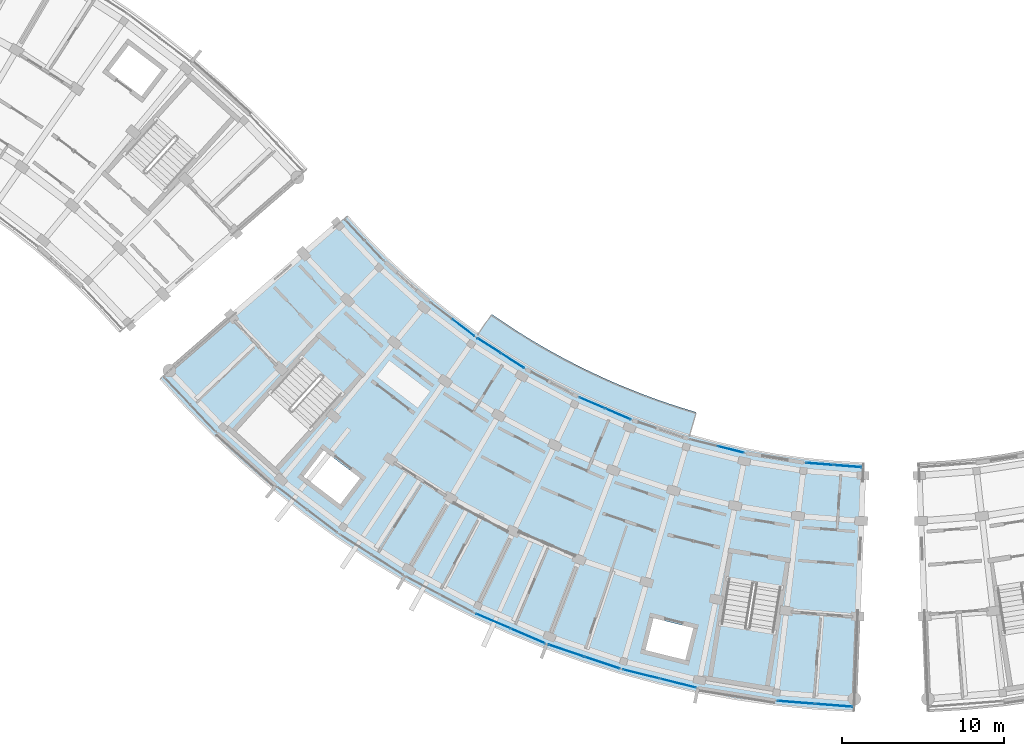
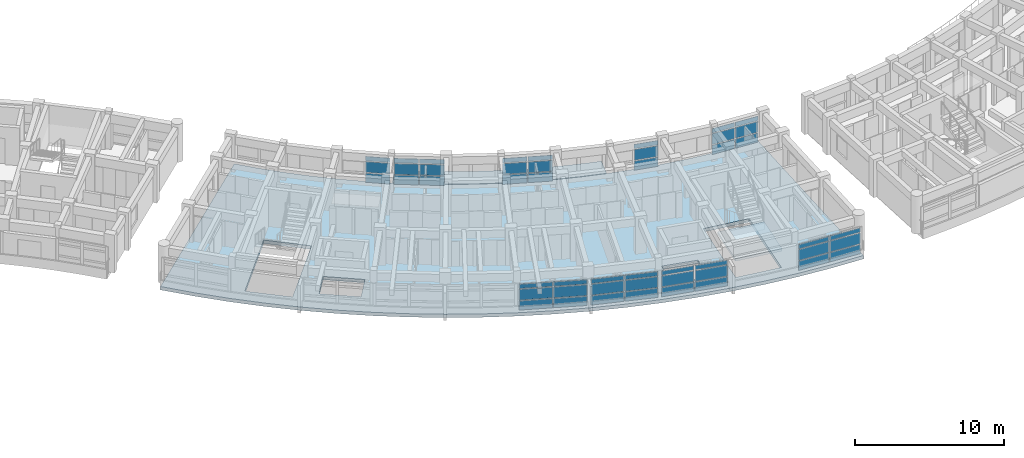
# One storey, part 23 of 56: 48 plates, 3 slabs, 10 elements without a shape of their own.
"""IFC4 building model written with IfcOpenShell, lengths in metres."""

from ifc_helpers import new_model, si_unit, direction, frame, origin, origin_2d, place, context, subcontext, project, spatial, polyline, rectangle, outline, extrude, material, layer, layer_set, type_object, element, aggregate, save


model = new_model("IFC4")

# Units and contexts
model_context = context("Model", 3, precision=1e-05, world=origin(), true_north=direction((0.0, 1.0)))
body_context = subcontext(model_context, "Body", "Model", "MODEL_VIEW")
ifc_project = project(units=[si_unit("LENGTHUNIT", "METRE"), si_unit("AREAUNIT", "SQUARE_METRE"), si_unit("VOLUMEUNIT", "CUBIC_METRE"), si_unit("PLANEANGLEUNIT", "RADIAN"), si_unit("MASSUNIT", "GRAM", prefix="KILO")], contexts=[model_context])

# Site, building, storey
site_placement = place(None, origin())
site = spatial("IfcSite", under=ifc_project, at=site_placement, CompositionType="ELEMENT")
building_placement = place(site_placement, origin())
building = spatial("IfcBuilding", under=site, at=building_placement, Name="Zimvara Arc Housing Community", CompositionType="ELEMENT")
storey_placement = place(building_placement, frame((0.0, 0.0, 17.39990234375)))
storey = spatial("IfcBuildingStorey", under=building, at=storey_placement, Name="L05", CompositionType="ELEMENT", Elevation=17.39990234375)

# Curtain wall, plates
ifc_material_1 = material(Name="Anodised Aluminium AW-6063", Category="aluminium")
curtain_wall_type_1 = type_object("IfcCurtainWallType", Name="CW-SYS-04", PredefinedType="USERDEFINED", material=ifc_material_1)
curtain_wall_1_placement = place(storey_placement, origin())
curtain_wall_1 = element("IfcCurtainWall", 1, at=curtain_wall_1_placement, inside=storey, type_object=curtain_wall_type_1, Name="cw:blkC:L05:in:b3", ObjectType="CURTAIN WALL", PredefinedType="USERDEFINED")
ifc_material_2 = material(Name="Pale-Gold Anodised Aluminium Spandrel Panel", Category="aluminium")
ifc_layer_1 = layer(ifc_material_2, 0.035888671875)
ifc_layer_set_1 = layer_set([ifc_layer_1], Name="Pale-Gold Anodised Aluminium Spandrel Panel")
plate_type_1 = type_object("IfcPlateType", Name="CWP-GLD-36", PredefinedType="CURTAIN_PANEL", material=ifc_layer_set_1)
plate_1_placement = place(storey_placement, frame((101.21875, 72.775634765625, 0.065185546875), z_axis=(0.0, 0.0, 1.0), x_axis=(0.842264751752, -0.539064085203, 0.0)))
plate_1 = element("IfcPlate", 2, at=plate_1_placement, type_object=plate_type_1, Name="CW04 panel 1.1", PredefinedType="CURTAIN_PANEL", context=body_context, shape_type="SweptSolid", body=[
    extrude(rectangle(XDim=1.664306640625, YDim=0.035888671875, at=origin_2d()), origin(), (0.0, 0.0, 1.0), 0.75244140625),
])
plate_2_placement = place(storey_placement, frame((101.21875, 72.775634765625, 0.8828125), z_axis=(0.0, 0.0, 1.0), x_axis=(0.842264751752, -0.539064085203, 0.0)))
plate_2 = element("IfcPlate", 3, at=plate_2_placement, type_object=plate_type_1, Name="CW04 panel 1.2", PredefinedType="CURTAIN_PANEL", context=body_context, shape_type="SweptSolid", body=[
    extrude(rectangle(XDim=1.664306640625, YDim=0.035888671875, at=origin_2d()), origin(), (0.0, 0.0, 1.0), 0.885009765625),
])
plate_3_placement = place(storey_placement, frame((101.21875, 72.775634765625, 1.83251953125), z_axis=(0.0, 0.0, 1.0), x_axis=(0.842264751752, -0.539064085203, 0.0)))
plate_3 = element("IfcPlate", 4, at=plate_3_placement, type_object=plate_type_1, Name="CW04 panel 1.3", PredefinedType="CURTAIN_PANEL", context=body_context, shape_type="SweptSolid", body=[
    extrude(rectangle(XDim=1.664306640625, YDim=0.035888671875, at=origin_2d()), origin(), (0.0, 0.0, 1.0), 0.3525390625),
])
plate_4_placement = place(storey_placement, frame((102.67529296875, 71.843505859375, 0.065185546875), z_axis=(0.0, 0.0, 1.0), x_axis=(0.842264751752, -0.539064085203, 0.0)))
plate_4 = element("IfcPlate", 5, at=plate_4_placement, type_object=plate_type_1, Name="CW04 panel 2.1", PredefinedType="CURTAIN_PANEL", context=body_context, shape_type="SweptSolid", body=[
    extrude(rectangle(XDim=1.664306640625, YDim=0.035888671875, at=origin_2d()), origin(), (0.0, 0.0, 1.0), 0.75244140625),
])
plate_5_placement = place(storey_placement, frame((102.67529296875, 71.843505859375, 0.8828125), z_axis=(0.0, 0.0, 1.0), x_axis=(0.842264751752, -0.539064085203, 0.0)))
plate_5 = element("IfcPlate", 6, at=plate_5_placement, type_object=plate_type_1, Name="CW04 panel 2.2", PredefinedType="CURTAIN_PANEL", context=body_context, shape_type="SweptSolid", body=[
    extrude(rectangle(XDim=1.664306640625, YDim=0.035888671875, at=origin_2d()), origin(), (0.0, 0.0, 1.0), 0.885009765625),
])
plate_6_placement = place(storey_placement, frame((102.67529296875, 71.843505859375, 1.83251953125), z_axis=(0.0, 0.0, 1.0), x_axis=(0.842264751752, -0.539064085203, 0.0)))
plate_6 = element("IfcPlate", 7, at=plate_6_placement, type_object=plate_type_1, Name="CW04 panel 2.3", PredefinedType="CURTAIN_PANEL", context=body_context, shape_type="SweptSolid", body=[
    extrude(rectangle(XDim=1.664306640625, YDim=0.035888671875, at=origin_2d()), origin(), (0.0, 0.0, 1.0), 0.3525390625),
])
aggregate(curtain_wall_1, [plate_1, plate_2, plate_3, plate_4, plate_5, plate_6])

ifc_material_3 = material(Name="Anodised Aluminium AW-6063", Category="aluminium")
curtain_wall_type_2 = type_object("IfcCurtainWallType", Name="CW-SYS-08", PredefinedType="USERDEFINED", material=ifc_material_3)
curtain_wall_2_placement = place(storey_placement, origin())
curtain_wall_2 = element("IfcCurtainWall", 8, at=curtain_wall_2_placement, inside=storey, type_object=curtain_wall_type_2, Name="cw:blkC:L05:out:b6", ObjectType="CURTAIN WALL", PredefinedType="USERDEFINED")
plate_7_placement = place(storey_placement, frame((105.970458984375, 53.993408203125, 0.065185546875), z_axis=(0.0, 0.0, 1.0), x_axis=(0.947879647164, -0.318628583921, 0.0)))
plate_7 = element("IfcPlate", 9, at=plate_7_placement, type_object=plate_type_1, Name="CW08 panel 1.1", PredefinedType="CURTAIN_PANEL", context=body_context, shape_type="SweptSolid", body=[
    extrude(rectangle(XDim=2.266845703125, YDim=0.035888671875, at=origin_2d()), origin(), (0.0, 0.0, 1.0), 0.75244140625),
])
plate_8_placement = place(storey_placement, frame((105.970458984375, 53.993408203125, 0.8828125), z_axis=(0.0, 0.0, 1.0), x_axis=(0.947879647164, -0.318628583921, 0.0)))
plate_8 = element("IfcPlate", 10, at=plate_8_placement, type_object=plate_type_1, Name="CW08 panel 1.2", PredefinedType="CURTAIN_PANEL", context=body_context, shape_type="SweptSolid", body=[
    extrude(rectangle(XDim=2.266845703125, YDim=0.035888671875, at=origin_2d()), origin(), (0.0, 0.0, 1.0), 0.885009765625),
])
plate_9_placement = place(storey_placement, frame((105.970458984375, 53.993408203125, 1.83251953125), z_axis=(0.0, 0.0, 1.0), x_axis=(0.947879647164, -0.318628583921, 0.0)))
plate_9 = element("IfcPlate", 11, at=plate_9_placement, type_object=plate_type_1, Name="CW08 panel 1.3", PredefinedType="CURTAIN_PANEL", context=body_context, shape_type="SweptSolid", body=[
    extrude(rectangle(XDim=2.266845703125, YDim=0.035888671875, at=origin_2d()), origin(), (0.0, 0.0, 1.0), 0.3525390625),
])
plate_10_placement = place(storey_placement, frame((108.180908203125, 53.250244140625, 0.065185546875), z_axis=(0.0, 0.0, 1.0), x_axis=(0.947879647164, -0.318628583921, 0.0)))
plate_10 = element("IfcPlate", 12, at=plate_10_placement, type_object=plate_type_1, Name="CW08 panel 2.1", PredefinedType="CURTAIN_PANEL", context=body_context, shape_type="SweptSolid", body=[
    extrude(rectangle(XDim=2.266845703125, YDim=0.035888671875, at=origin_2d()), origin(), (0.0, 0.0, 1.0), 0.75244140625),
])
plate_11_placement = place(storey_placement, frame((108.180908203125, 53.250244140625, 0.8828125), z_axis=(0.0, 0.0, 1.0), x_axis=(0.947879647164, -0.318628583921, 0.0)))
plate_11 = element("IfcPlate", 13, at=plate_11_placement, type_object=plate_type_1, Name="CW08 panel 2.2", PredefinedType="CURTAIN_PANEL", context=body_context, shape_type="SweptSolid", body=[
    extrude(rectangle(XDim=2.266845703125, YDim=0.035888671875, at=origin_2d()), origin(), (0.0, 0.0, 1.0), 0.885009765625),
])
plate_12_placement = place(storey_placement, frame((108.180908203125, 53.250244140625, 1.83251953125), z_axis=(0.0, 0.0, 1.0), x_axis=(0.947879647164, -0.318628583921, 0.0)))
plate_12 = element("IfcPlate", 14, at=plate_12_placement, type_object=plate_type_1, Name="CW08 panel 2.3", PredefinedType="CURTAIN_PANEL", context=body_context, shape_type="SweptSolid", body=[
    extrude(rectangle(XDim=2.266845703125, YDim=0.035888671875, at=origin_2d()), origin(), (0.0, 0.0, 1.0), 0.3525390625),
])
aggregate(curtain_wall_2, [plate_7, plate_8, plate_9, plate_10, plate_11, plate_12])

curtain_wall_3_placement = place(storey_placement, origin())
curtain_wall_3 = element("IfcCurtainWall", 15, at=curtain_wall_3_placement, inside=storey, type_object=curtain_wall_type_1, Name="cw:blkC:L05:in:b9", ObjectType="CURTAIN WALL", PredefinedType="USERDEFINED")
plate_13_placement = place(storey_placement, frame((121.589111328125, 65.485595703125, 0.065185546875), z_axis=(0.0, 0.0, 1.0), x_axis=(0.996862343506, -0.079154709897, 0.0)))
plate_13 = element("IfcPlate", 16, at=plate_13_placement, type_object=plate_type_1, Name="CW04 panel 1.1", PredefinedType="CURTAIN_PANEL", context=body_context, shape_type="SweptSolid", body=[
    extrude(rectangle(XDim=1.664306640625, YDim=0.035888671875, at=origin_2d()), origin(), (0.0, 0.0, 1.0), 0.75244140625),
])
plate_14_placement = place(storey_placement, frame((121.589111328125, 65.485595703125, 0.8828125), z_axis=(0.0, 0.0, 1.0), x_axis=(0.996862343506, -0.079154709897, 0.0)))
plate_14 = element("IfcPlate", 17, at=plate_14_placement, type_object=plate_type_1, Name="CW04 panel 1.2", PredefinedType="CURTAIN_PANEL", context=body_context, shape_type="SweptSolid", body=[
    extrude(rectangle(XDim=1.664306640625, YDim=0.035888671875, at=origin_2d()), origin(), (0.0, 0.0, 1.0), 0.885009765625),
])
plate_15_placement = place(storey_placement, frame((121.589111328125, 65.485595703125, 1.83251953125), z_axis=(0.0, 0.0, 1.0), x_axis=(0.996862343506, -0.079154709897, 0.0)))
plate_15 = element("IfcPlate", 18, at=plate_15_placement, type_object=plate_type_1, Name="CW04 panel 1.3", PredefinedType="CURTAIN_PANEL", context=body_context, shape_type="SweptSolid", body=[
    extrude(rectangle(XDim=1.664306640625, YDim=0.035888671875, at=origin_2d()), origin(), (0.0, 0.0, 1.0), 0.3525390625),
])
plate_16_placement = place(storey_placement, frame((123.31298828125, 65.3486328125, 0.065185546875), z_axis=(0.0, 0.0, 1.0), x_axis=(0.996862343506, -0.079154709897, 0.0)))
plate_16 = element("IfcPlate", 19, at=plate_16_placement, type_object=plate_type_1, Name="CW04 panel 2.1", PredefinedType="CURTAIN_PANEL", context=body_context, shape_type="SweptSolid", body=[
    extrude(rectangle(XDim=1.664306640625, YDim=0.035888671875, at=origin_2d()), origin(), (0.0, 0.0, 1.0), 0.75244140625),
])
plate_17_placement = place(storey_placement, frame((123.31298828125, 65.3486328125, 0.8828125), z_axis=(0.0, 0.0, 1.0), x_axis=(0.996862343506, -0.079154709897, 0.0)))
plate_17 = element("IfcPlate", 20, at=plate_17_placement, type_object=plate_type_1, Name="CW04 panel 2.2", PredefinedType="CURTAIN_PANEL", context=body_context, shape_type="SweptSolid", body=[
    extrude(rectangle(XDim=1.664306640625, YDim=0.035888671875, at=origin_2d()), origin(), (0.0, 0.0, 1.0), 0.885009765625),
])
plate_18_placement = place(storey_placement, frame((123.31298828125, 65.3486328125, 1.83251953125), z_axis=(0.0, 0.0, 1.0), x_axis=(0.996862343506, -0.079154709897, 0.0)))
plate_18 = element("IfcPlate", 21, at=plate_18_placement, type_object=plate_type_1, Name="CW04 panel 2.3", PredefinedType="CURTAIN_PANEL", context=body_context, shape_type="SweptSolid", body=[
    extrude(rectangle(XDim=1.664306640625, YDim=0.035888671875, at=origin_2d()), origin(), (0.0, 0.0, 1.0), 0.3525390625),
])
aggregate(curtain_wall_3, [plate_13, plate_14, plate_15, plate_16, plate_17, plate_18])

ifc_material_4 = material(Name="Anodised Aluminium AW-6063", Category="aluminium")
curtain_wall_type_3 = type_object("IfcCurtainWallType", Name="CW-SYS-01", PredefinedType="USERDEFINED", material=ifc_material_4)
curtain_wall_4_placement = place(storey_placement, origin())
curtain_wall_4 = element("IfcCurtainWall", 22, at=curtain_wall_4_placement, inside=storey, type_object=curtain_wall_type_3, Name="cw:blkC:L05:out:b7", ObjectType="CURTAIN WALL", PredefinedType="USERDEFINED")
ifc_material_5 = material(Name="Solar Control Low-E Double Glazing", Category="glass")
ifc_layer_2 = layer(ifc_material_5, 0.02392578125)
ifc_layer_set_2 = layer_set([ifc_layer_2], Name="Solar Control Low-E Double Glazing")
plate_type_2 = type_object("IfcPlateType", Name="CWP-GLZ-24", PredefinedType="CURTAIN_PANEL", material=ifc_layer_set_2)
plate_19_placement = place(storey_placement, frame((110.59521484375, 52.547119140625, 0.065185546875), z_axis=(0.0, 0.0, 1.0), x_axis=(0.970716068627, -0.240229711131, 0.0)))
plate_19 = element("IfcPlate", 23, at=plate_19_placement, type_object=plate_type_2, Name="CW01 panel 1.1", PredefinedType="CURTAIN_PANEL", context=body_context, shape_type="SweptSolid", body=[
    extrude(rectangle(XDim=2.266845703125, YDim=0.02392578125, at=origin_2d()), origin(), (0.0, 0.0, 1.0), 0.75244140625),
])
plate_20_placement = place(storey_placement, frame((110.59521484375, 52.547119140625, 0.8828125), z_axis=(0.0, 0.0, 1.0), x_axis=(0.970716068627, -0.240229711131, 0.0)))
plate_20 = element("IfcPlate", 24, at=plate_20_placement, type_object=plate_type_2, Name="CW01 panel 1.2", PredefinedType="CURTAIN_PANEL", context=body_context, shape_type="SweptSolid", body=[
    extrude(rectangle(XDim=2.266845703125, YDim=0.02392578125, at=origin_2d()), origin(), (0.0, 0.0, 1.0), 0.885009765625),
])
plate_21_placement = place(storey_placement, frame((110.59521484375, 52.547119140625, 1.83251953125), z_axis=(0.0, 0.0, 1.0), x_axis=(0.970716068627, -0.240229711131, 0.0)))
plate_21 = element("IfcPlate", 25, at=plate_21_placement, type_object=plate_type_2, Name="CW01 panel 1.3", PredefinedType="CURTAIN_PANEL", context=body_context, shape_type="SweptSolid", body=[
    extrude(rectangle(XDim=2.266845703125, YDim=0.02392578125, at=origin_2d()), origin(), (0.0, 0.0, 1.0), 0.3525390625),
])
plate_22_placement = place(storey_placement, frame((112.85888671875, 51.98681640625, 0.065185546875), z_axis=(0.0, 0.0, 1.0), x_axis=(0.970716068627, -0.240229711131, 0.0)))
plate_22 = element("IfcPlate", 26, at=plate_22_placement, type_object=plate_type_2, Name="CW01 panel 2.1", PredefinedType="CURTAIN_PANEL", context=body_context, shape_type="SweptSolid", body=[
    extrude(rectangle(XDim=2.266845703125, YDim=0.02392578125, at=origin_2d()), origin(), (0.0, 0.0, 1.0), 0.75244140625),
])
plate_23_placement = place(storey_placement, frame((112.85888671875, 51.98681640625, 0.8828125), z_axis=(0.0, 0.0, 1.0), x_axis=(0.970716068627, -0.240229711131, 0.0)))
plate_23 = element("IfcPlate", 27, at=plate_23_placement, type_object=plate_type_2, Name="CW01 panel 2.2", PredefinedType="CURTAIN_PANEL", context=body_context, shape_type="SweptSolid", body=[
    extrude(rectangle(XDim=2.266845703125, YDim=0.02392578125, at=origin_2d()), origin(), (0.0, 0.0, 1.0), 0.885009765625),
])
plate_24_placement = place(storey_placement, frame((112.85888671875, 51.98681640625, 1.83251953125), z_axis=(0.0, 0.0, 1.0), x_axis=(0.970716068627, -0.240229711131, 0.0)))
plate_24 = element("IfcPlate", 28, at=plate_24_placement, type_object=plate_type_2, Name="CW01 panel 2.3", PredefinedType="CURTAIN_PANEL", context=body_context, shape_type="SweptSolid", body=[
    extrude(rectangle(XDim=2.266845703125, YDim=0.02392578125, at=origin_2d()), origin(), (0.0, 0.0, 1.0), 0.3525390625),
])
aggregate(curtain_wall_4, [plate_19, plate_20, plate_21, plate_22, plate_23, plate_24])

ifc_material_6 = material(Name="Anodised Aluminium AW-6063", Category="aluminium")
curtain_wall_type_4 = type_object("IfcCurtainWallType", Name="CW-SYS-02", PredefinedType="USERDEFINED", material=ifc_material_6)
curtain_wall_5_placement = place(storey_placement, origin())
curtain_wall_5 = element("IfcCurtainWall", 29, at=curtain_wall_5_placement, inside=storey, type_object=curtain_wall_type_4, Name="cw:blkC:L05:in:b2", ObjectType="CURTAIN WALL", PredefinedType="USERDEFINED")
ifc_material_7 = material(Name="Solar Control Low-E Double Glazing", Category="glass")
ifc_layer_3 = layer(ifc_material_7, 0.028076171875)
ifc_layer_set_3 = layer_set([ifc_layer_3], Name="Solar Control Low-E Double Glazing")
plate_type_3 = type_object("IfcPlateType", Name="CWP-GLZ-28", PredefinedType="CURTAIN_PANEL", material=ifc_layer_set_3)
plate_25_placement = place(storey_placement, frame((99.651123046875, 73.87158203125, 0.065185546875), z_axis=(0.0, 0.0, 1.0), x_axis=(0.795473543119, -0.605988318533, 0.0)))
plate_25 = element("IfcPlate", 30, at=plate_25_placement, type_object=plate_type_3, Name="CW02 panel 2.1", PredefinedType="CURTAIN_PANEL", context=body_context, shape_type="SweptSolid", body=[
    extrude(rectangle(XDim=1.664306640625, YDim=0.028076171875, at=origin_2d()), origin(), (0.0, 0.0, 1.0), 0.75244140625),
])
plate_26_placement = place(storey_placement, frame((99.651123046875, 73.87158203125, 0.8828125), z_axis=(0.0, 0.0, 1.0), x_axis=(0.795473543119, -0.605988318533, 0.0)))
plate_26 = element("IfcPlate", 31, at=plate_26_placement, type_object=plate_type_3, Name="CW02 panel 2.2", PredefinedType="CURTAIN_PANEL", context=body_context, shape_type="SweptSolid", body=[
    extrude(rectangle(XDim=1.664306640625, YDim=0.028076171875, at=origin_2d()), origin(), (0.0, 0.0, 1.0), 0.885009765625),
])
plate_27_placement = place(storey_placement, frame((99.651123046875, 73.87158203125, 1.83251953125), z_axis=(0.0, 0.0, 1.0), x_axis=(0.795473543119, -0.605988318533, 0.0)))
plate_27 = element("IfcPlate", 32, at=plate_27_placement, type_object=plate_type_3, Name="CW02 panel 2.3", PredefinedType="CURTAIN_PANEL", context=body_context, shape_type="SweptSolid", body=[
    extrude(rectangle(XDim=1.664306640625, YDim=0.028076171875, at=origin_2d()), origin(), (0.0, 0.0, 1.0), 0.3525390625),
])
aggregate(curtain_wall_5, [plate_25, plate_26, plate_27])

ifc_material_8 = material(Name="Anodised Aluminium AW-6063", Category="aluminium")
curtain_wall_type_5 = type_object("IfcCurtainWallType", Name="CW-SYS-06", PredefinedType="USERDEFINED", material=ifc_material_8)
curtain_wall_6_placement = place(storey_placement, origin())
curtain_wall_6 = element("IfcCurtainWall", 33, at=curtain_wall_6_placement, inside=storey, type_object=curtain_wall_type_5, Name="cw:blkC:L05:out:b5", ObjectType="CURTAIN WALL", PredefinedType="USERDEFINED")
plate_28_placement = place(storey_placement, frame((101.47900390625, 55.812255859375, 0.065185546875), z_axis=(0.0, 0.0, 1.0), x_axis=(0.918722299363, -0.394904211998, 0.0)))
plate_28 = element("IfcPlate", 34, at=plate_28_placement, type_object=plate_type_3, Name="CW06 panel 1.1", PredefinedType="CURTAIN_PANEL", context=body_context, shape_type="SweptSolid", body=[
    extrude(rectangle(XDim=2.266845703125, YDim=0.028076171875, at=origin_2d()), origin(), (0.0, 0.0, 1.0), 0.75244140625),
])
plate_29_placement = place(storey_placement, frame((101.47900390625, 55.812255859375, 0.8828125), z_axis=(0.0, 0.0, 1.0), x_axis=(0.918722299363, -0.394904211998, 0.0)))
plate_29 = element("IfcPlate", 35, at=plate_29_placement, type_object=plate_type_3, Name="CW06 panel 1.2", PredefinedType="CURTAIN_PANEL", context=body_context, shape_type="SweptSolid", body=[
    extrude(rectangle(XDim=2.266845703125, YDim=0.028076171875, at=origin_2d()), origin(), (0.0, 0.0, 1.0), 0.885009765625),
])
plate_30_placement = place(storey_placement, frame((101.47900390625, 55.812255859375, 1.83251953125), z_axis=(0.0, 0.0, 1.0), x_axis=(0.918722299363, -0.394904211998, 0.0)))
plate_30 = element("IfcPlate", 36, at=plate_30_placement, type_object=plate_type_3, Name="CW06 panel 1.3", PredefinedType="CURTAIN_PANEL", context=body_context, shape_type="SweptSolid", body=[
    extrude(rectangle(XDim=2.266845703125, YDim=0.028076171875, at=origin_2d()), origin(), (0.0, 0.0, 1.0), 0.3525390625),
])
plate_31_placement = place(storey_placement, frame((103.621337890625, 54.891357421875, 0.065185546875), z_axis=(0.0, 0.0, 1.0), x_axis=(0.918722299363, -0.394904211998, 0.0)))
plate_31 = element("IfcPlate", 37, at=plate_31_placement, type_object=plate_type_3, Name="CW06 panel 2.1", PredefinedType="CURTAIN_PANEL", context=body_context, shape_type="SweptSolid", body=[
    extrude(rectangle(XDim=2.266845703125, YDim=0.028076171875, at=origin_2d()), origin(), (0.0, 0.0, 1.0), 0.75244140625),
])
plate_32_placement = place(storey_placement, frame((103.621337890625, 54.891357421875, 0.8828125), z_axis=(0.0, 0.0, 1.0), x_axis=(0.918722299363, -0.394904211998, 0.0)))
plate_32 = element("IfcPlate", 38, at=plate_32_placement, type_object=plate_type_3, Name="CW06 panel 2.2", PredefinedType="CURTAIN_PANEL", context=body_context, shape_type="SweptSolid", body=[
    extrude(rectangle(XDim=2.266845703125, YDim=0.028076171875, at=origin_2d()), origin(), (0.0, 0.0, 1.0), 0.885009765625),
])
plate_33_placement = place(storey_placement, frame((103.621337890625, 54.891357421875, 1.83251953125), z_axis=(0.0, 0.0, 1.0), x_axis=(0.918722299363, -0.394904211998, 0.0)))
plate_33 = element("IfcPlate", 39, at=plate_33_placement, type_object=plate_type_3, Name="CW06 panel 2.3", PredefinedType="CURTAIN_PANEL", context=body_context, shape_type="SweptSolid", body=[
    extrude(rectangle(XDim=2.266845703125, YDim=0.028076171875, at=origin_2d()), origin(), (0.0, 0.0, 1.0), 0.3525390625),
])
aggregate(curtain_wall_6, [plate_28, plate_29, plate_30, plate_31, plate_32, plate_33])

curtain_wall_7_placement = place(storey_placement, origin())
curtain_wall_7 = element("IfcCurtainWall", 40, at=curtain_wall_7_placement, inside=storey, type_object=curtain_wall_type_4, Name="cw:blkC:L05:in:b7", ObjectType="CURTAIN WALL", PredefinedType="USERDEFINED")
plate_34_placement = place(storey_placement, frame((116.109375, 66.375, 0.065185546875), z_axis=(0.0, 0.0, 1.0), x_axis=(0.970716537698, -0.240227815706, 0.0)))
plate_34 = element("IfcPlate", 41, at=plate_34_placement, type_object=plate_type_3, Name="CW02 panel 2.1", PredefinedType="CURTAIN_PANEL", context=body_context, shape_type="SweptSolid", body=[
    extrude(rectangle(XDim=1.664306640625, YDim=0.028076171875, at=origin_2d()), origin(), (0.0, 0.0, 1.0), 0.75244140625),
])
plate_35_placement = place(storey_placement, frame((116.109375, 66.375, 0.8828125), z_axis=(0.0, 0.0, 1.0), x_axis=(0.970716537698, -0.240227815706, 0.0)))
plate_35 = element("IfcPlate", 42, at=plate_35_placement, type_object=plate_type_3, Name="CW02 panel 2.2", PredefinedType="CURTAIN_PANEL", context=body_context, shape_type="SweptSolid", body=[
    extrude(rectangle(XDim=1.664306640625, YDim=0.028076171875, at=origin_2d()), origin(), (0.0, 0.0, 1.0), 0.885009765625),
])
plate_36_placement = place(storey_placement, frame((116.109375, 66.375, 1.83251953125), z_axis=(0.0, 0.0, 1.0), x_axis=(0.970716537698, -0.240227815706, 0.0)))
plate_36 = element("IfcPlate", 43, at=plate_36_placement, type_object=plate_type_3, Name="CW02 panel 2.3", PredefinedType="CURTAIN_PANEL", context=body_context, shape_type="SweptSolid", body=[
    extrude(rectangle(XDim=1.664306640625, YDim=0.028076171875, at=origin_2d()), origin(), (0.0, 0.0, 1.0), 0.3525390625),
])
aggregate(curtain_wall_7, [plate_34, plate_35, plate_36])

ifc_material_9 = material(Name="Anodised Aluminium AW-6063", Category="aluminium")
curtain_wall_type_6 = type_object("IfcCurtainWallType", Name="CW-SYS-07", PredefinedType="USERDEFINED", material=ifc_material_9)
curtain_wall_8_placement = place(storey_placement, origin())
curtain_wall_8 = element("IfcCurtainWall", 44, at=curtain_wall_8_placement, inside=storey, type_object=curtain_wall_type_6, Name="cw:blkC:L05:in:b5", ObjectType="CURTAIN WALL", PredefinedType="USERDEFINED")
ifc_material_10 = material(Name="Acoustic Laminated Solar Glazing", Category="glass")
ifc_layer_4 = layer(ifc_material_10, 0.031982421875)
ifc_layer_set_4 = layer_set([ifc_layer_4], Name="Acoustic Laminated Solar Glazing")
plate_type_4 = type_object("IfcPlateType", Name="CWP-GLZ-32", PredefinedType="CURTAIN_PANEL", material=ifc_layer_set_4)
plate_37_placement = place(storey_placement, frame((107.57958984375, 69.2421875, 0.065185546875), z_axis=(0.0, 0.0, 1.0), x_axis=(0.918722178415, -0.394904493375, 0.0)))
plate_37 = element("IfcPlate", 45, at=plate_37_placement, type_object=plate_type_4, Name="CW07 panel 1.1", PredefinedType="CURTAIN_PANEL", context=body_context, shape_type="SweptSolid", body=[
    extrude(rectangle(XDim=1.664306640625, YDim=0.031982421875, at=origin_2d()), origin(), (0.0, 0.0, 1.0), 0.75244140625),
])
plate_38_placement = place(storey_placement, frame((107.57958984375, 69.2421875, 0.8828125), z_axis=(0.0, 0.0, 1.0), x_axis=(0.918722178415, -0.394904493375, 0.0)))
plate_38 = element("IfcPlate", 46, at=plate_38_placement, type_object=plate_type_4, Name="CW07 panel 1.2", PredefinedType="CURTAIN_PANEL", context=body_context, shape_type="SweptSolid", body=[
    extrude(rectangle(XDim=1.664306640625, YDim=0.031982421875, at=origin_2d()), origin(), (0.0, 0.0, 1.0), 0.885009765625),
])
plate_39_placement = place(storey_placement, frame((107.57958984375, 69.2421875, 1.83251953125), z_axis=(0.0, 0.0, 1.0), x_axis=(0.918722178415, -0.394904493375, 0.0)))
plate_39 = element("IfcPlate", 47, at=plate_39_placement, type_object=plate_type_4, Name="CW07 panel 1.3", PredefinedType="CURTAIN_PANEL", context=body_context, shape_type="SweptSolid", body=[
    extrude(rectangle(XDim=1.664306640625, YDim=0.031982421875, at=origin_2d()), origin(), (0.0, 0.0, 1.0), 0.3525390625),
])
plate_40_placement = place(storey_placement, frame((109.16845703125, 68.559326171875, 0.065185546875), z_axis=(0.0, 0.0, 1.0), x_axis=(0.918722178415, -0.394904493375, 0.0)))
plate_40 = element("IfcPlate", 48, at=plate_40_placement, type_object=plate_type_4, Name="CW07 panel 2.1", PredefinedType="CURTAIN_PANEL", context=body_context, shape_type="SweptSolid", body=[
    extrude(rectangle(XDim=1.664306640625, YDim=0.031982421875, at=origin_2d()), origin(), (0.0, 0.0, 1.0), 0.75244140625),
])
plate_41_placement = place(storey_placement, frame((109.16845703125, 68.559326171875, 0.8828125), z_axis=(0.0, 0.0, 1.0), x_axis=(0.918722178415, -0.394904493375, 0.0)))
plate_41 = element("IfcPlate", 49, at=plate_41_placement, type_object=plate_type_4, Name="CW07 panel 2.2", PredefinedType="CURTAIN_PANEL", context=body_context, shape_type="SweptSolid", body=[
    extrude(rectangle(XDim=1.664306640625, YDim=0.031982421875, at=origin_2d()), origin(), (0.0, 0.0, 1.0), 0.885009765625),
])
plate_42_placement = place(storey_placement, frame((109.16845703125, 68.559326171875, 1.83251953125), z_axis=(0.0, 0.0, 1.0), x_axis=(0.918722178415, -0.394904493375, 0.0)))
plate_42 = element("IfcPlate", 50, at=plate_42_placement, type_object=plate_type_4, Name="CW07 panel 2.3", PredefinedType="CURTAIN_PANEL", context=body_context, shape_type="SweptSolid", body=[
    extrude(rectangle(XDim=1.664306640625, YDim=0.031982421875, at=origin_2d()), origin(), (0.0, 0.0, 1.0), 0.3525390625),
])
aggregate(curtain_wall_8, [plate_37, plate_38, plate_39, plate_40, plate_41, plate_42])

ifc_material_11 = material(Name="Anodised Aluminium AW-6063", Category="aluminium")
curtain_wall_type_7 = type_object("IfcCurtainWallType", Name="CW-SYS-03", PredefinedType="USERDEFINED", material=ifc_material_11)
curtain_wall_9_placement = place(storey_placement, origin())
curtain_wall_9 = element("IfcCurtainWall", 51, at=curtain_wall_9_placement, inside=storey, type_object=curtain_wall_type_7, Name="cw:blkC:L05:out:b9", ObjectType="CURTAIN WALL", PredefinedType="USERDEFINED")
plate_43_placement = place(storey_placement, frame((120.121337890625, 50.807861328125, 0.065185546875), z_axis=(0.0, 0.0, 1.0), x_axis=(0.996862418963, -0.079153759607, 0.0)))
plate_43 = element("IfcPlate", 52, at=plate_43_placement, type_object=plate_type_4, Name="CW03 panel 1.1", PredefinedType="CURTAIN_PANEL", context=body_context, shape_type="SweptSolid", body=[
    extrude(rectangle(XDim=2.266845703125, YDim=0.031982421875, at=origin_2d()), origin(), (0.0, 0.0, 1.0), 0.75244140625),
])
plate_44_placement = place(storey_placement, frame((120.121337890625, 50.807861328125, 0.8828125), z_axis=(0.0, 0.0, 1.0), x_axis=(0.996862418963, -0.079153759607, 0.0)))
plate_44 = element("IfcPlate", 53, at=plate_44_placement, type_object=plate_type_4, Name="CW03 panel 1.2", PredefinedType="CURTAIN_PANEL", context=body_context, shape_type="SweptSolid", body=[
    extrude(rectangle(XDim=2.266845703125, YDim=0.031982421875, at=origin_2d()), origin(), (0.0, 0.0, 1.0), 0.885009765625),
])
plate_45_placement = place(storey_placement, frame((120.121337890625, 50.807861328125, 1.83251953125), z_axis=(0.0, 0.0, 1.0), x_axis=(0.996862418963, -0.079153759607, 0.0)))
plate_45 = element("IfcPlate", 54, at=plate_45_placement, type_object=plate_type_4, Name="CW03 panel 1.3", PredefinedType="CURTAIN_PANEL", context=body_context, shape_type="SweptSolid", body=[
    extrude(rectangle(XDim=2.266845703125, YDim=0.031982421875, at=origin_2d()), origin(), (0.0, 0.0, 1.0), 0.3525390625),
])
plate_46_placement = place(storey_placement, frame((122.446044921875, 50.623291015625, 0.065185546875), z_axis=(0.0, 0.0, 1.0), x_axis=(0.996862418963, -0.079153759607, 0.0)))
plate_46 = element("IfcPlate", 55, at=plate_46_placement, type_object=plate_type_4, Name="CW03 panel 2.1", PredefinedType="CURTAIN_PANEL", context=body_context, shape_type="SweptSolid", body=[
    extrude(rectangle(XDim=2.266845703125, YDim=0.031982421875, at=origin_2d()), origin(), (0.0, 0.0, 1.0), 0.75244140625),
])
plate_47_placement = place(storey_placement, frame((122.446044921875, 50.623291015625, 0.8828125), z_axis=(0.0, 0.0, 1.0), x_axis=(0.996862418963, -0.079153759607, 0.0)))
plate_47 = element("IfcPlate", 56, at=plate_47_placement, type_object=plate_type_4, Name="CW03 panel 2.2", PredefinedType="CURTAIN_PANEL", context=body_context, shape_type="SweptSolid", body=[
    extrude(rectangle(XDim=2.266845703125, YDim=0.031982421875, at=origin_2d()), origin(), (0.0, 0.0, 1.0), 0.885009765625),
])
plate_48_placement = place(storey_placement, frame((122.446044921875, 50.623291015625, 1.83251953125), z_axis=(0.0, 0.0, 1.0), x_axis=(0.996862418963, -0.079153759607, 0.0)))
plate_48 = element("IfcPlate", 57, at=plate_48_placement, type_object=plate_type_4, Name="CW03 panel 2.3", PredefinedType="CURTAIN_PANEL", context=body_context, shape_type="SweptSolid", body=[
    extrude(rectangle(XDim=2.266845703125, YDim=0.031982421875, at=origin_2d()), origin(), (0.0, 0.0, 1.0), 0.3525390625),
])
aggregate(curtain_wall_9, [plate_43, plate_44, plate_45, plate_46, plate_47, plate_48])

# Stair, slab
ifc_material_12 = material(Name="Concrete C35/45", Category="concrete")
stair_type = type_object("IfcStairType", Name="STR-DL-310-310", PredefinedType="HALF_TURN_STAIR", material=ifc_material_12)
stair_placement = place(storey_placement, origin())
stair = element("IfcStair", 58, at=stair_placement, inside=storey, type_object=stair_type, Name="L05 Block C Exit Stair 2", PredefinedType="HALF_TURN_STAIR")
ifc_material_13 = material(Name="Concrete C35/45", Category="concrete")
ifc_layer_5 = layer(ifc_material_13, 0.199951171875)
ifc_layer_set_5 = layer_set([ifc_layer_5], Name="Concrete C35/45")
slab_type_1 = type_object("IfcSlabType", Name="SLB-STAIR-LND-200", PredefinedType="LANDING", material=ifc_layer_set_5)
slab_1_placement = place(storey_placement, frame((0.0, 0.0, 1.35009765625)))
slab_1 = element("IfcSlab", 59, at=slab_1_placement, type_object=slab_type_1, Name="ST-C2 landing 1", PredefinedType="LANDING", context=body_context, shape_type="SweptSolid", body=[
    extrude(outline(polyline([(115.4853515625, 55.691650390625), (114.942138671875, 52.345458984375), (118.2587890625, 51.80712890625), (118.8017578125, 55.1533203125), (115.4853515625, 55.691650390625)])), origin(), (0.0, 0.0, 1.0), 0.199951171875),
])
aggregate(stair, [slab_1])

# Slabs
ifc_material_14 = material(Name="Concrete C35/45", Category="concrete")
ifc_layer_6 = layer(ifc_material_14, 0.2099609375)
ifc_layer_set_6 = layer_set([ifc_layer_6], Name="Concrete C35/45")
slab_type_2 = type_object("IfcSlabType", Name="SLB-TER-210", PredefinedType="FLOOR", material=ifc_layer_set_6)
slab_2_placement = place(storey_placement, frame((0.0, 0.0, -0.2099609375)))
element("IfcSlab", 60, at=slab_2_placement, inside=storey, type_object=slab_type_2, Name="slab:blkC:L05:bal_in", PredefinedType="FLOOR", context=body_context, shape_type="SweptSolid", body=[
    extrude(outline(polyline([(100.555908203125, 73.49658203125), (102.061767578125, 72.48876953125), (103.607421875, 71.543212890625), (105.190673828125, 70.661865234375), (106.808349609375, 69.845703125), (108.4580078125, 69.09619140625), (110.136962890625, 68.414794921875), (111.842529296875, 67.802490234375), (113.571533203125, 67.260498046875), (113.982421875, 68.671875), (113.14404296875, 68.92529296875), (112.310791015625, 69.196044921875), (111.4833984375, 69.483642578125), (110.661865234375, 69.7880859375), (109.846923828125, 70.109130859375), (109.03857421875, 70.44677734375), (108.2373046875, 70.801025390625), (107.443603515625, 71.17138671875), (106.657470703125, 71.557861328125), (105.87939453125, 71.96044921875), (105.109619140625, 72.37890625), (104.3486328125, 72.812744140625), (103.5966796875, 73.26220703125), (102.85400390625, 73.726806640625), (102.12109375, 74.20654296875), (101.398193359375, 74.701171875), (100.555908203125, 73.49658203125)])), origin(), (0.0, 0.0, 1.0), 0.2099609375),
])
ifc_material_15 = material(Name="Concrete C35/45", Category="concrete")
ifc_layer_7 = layer(ifc_material_15, 0.27197265625)
ifc_layer_set_7 = layer_set([ifc_layer_7], Name="Concrete C35/45")
slab_type_3 = type_object("IfcSlabType", Name="SLB-VAR-12", PredefinedType="FLOOR", material=ifc_layer_set_7)
slab_3_placement = place(storey_placement, frame((0.0, 0.0, -0.27197265625)))
element("IfcSlab", 61, at=slab_3_placement, inside=storey, type_object=slab_type_3, Name="slab:blkC:L05:main", PredefinedType="FLOOR", context=body_context, shape_type="SweptSolid", body=[
    extrude(outline(polyline([(80.999267578125, 70.7587890625), (82.63330078125, 68.954833984375), (84.339599609375, 67.21923828125), (86.115234375, 65.5546875), (87.95751953125, 63.9638671875), (89.863037109375, 62.44970703125), (91.828857421875, 61.0146484375), (93.851806640625, 59.6611328125), (95.92822265625, 58.39111328125), (98.0546875, 57.20703125), (100.227783203125, 56.11083984375), (102.443603515625, 55.104248046875), (104.698974609375, 54.188720703125), (106.98974609375, 53.366455078125), (109.312255859375, 52.63818359375), (111.662353515625, 52.00537109375), (114.03662109375, 51.468994140625), (116.430419921875, 51.030029296875), (118.840576171875, 50.689208984375), (121.262451171875, 50.447021484375), (123.692138671875, 50.303955078125), (124.275634765625, 65.49267578125), (122.465576171875, 65.599365234375), (120.661376953125, 65.77978515625), (118.865966796875, 66.03369140625), (117.08251953125, 66.360595703125), (115.31396484375, 66.76025390625), (113.56298828125, 67.231689453125), (111.8330078125, 67.774169921875), (110.12646484375, 68.386962890625), (108.4462890625, 69.06884765625), (106.79541015625, 69.818603515625), (105.176513671875, 70.63525390625), (103.59228515625, 71.517333984375), (102.04541015625, 72.46337890625), (100.53857421875, 73.471923828125), (99.07421875, 74.541015625), (97.654541015625, 75.6689453125), (96.2822265625, 76.85400390625), (94.959228515625, 78.093994140625), (93.688232421875, 79.38720703125), (92.470947265625, 80.73095703125), (80.999267578125, 70.7587890625)]), holes=[polyline([(92.150390625, 69.81005859375), (88.070068359375, 65.275390625), (85.6318359375, 67.46923828125), (89.7119140625, 72.00390625), (92.150390625, 69.81005859375)]), polyline([(119.202880859375, 57.874267578125), (118.2255859375, 51.85302734375), (114.988037109375, 52.378662109375), (115.96533203125, 58.399658203125), (119.202880859375, 57.874267578125)]), polyline([(93.29541015625, 64.612060546875), (92.05908203125, 62.9892578125), (89.800048828125, 64.710205078125), (91.036376953125, 66.3330078125), (93.29541015625, 64.612060546875)]), polyline([(113.80810546875, 55.388916015625), (113.318115234375, 53.40869140625), (110.852294921875, 54.018798828125), (111.342529296875, 55.9990234375), (113.80810546875, 55.388916015625)])]), origin(), (0.0, 0.0, 1.0), 0.27197265625),
])

save(model, "model.ifc")
